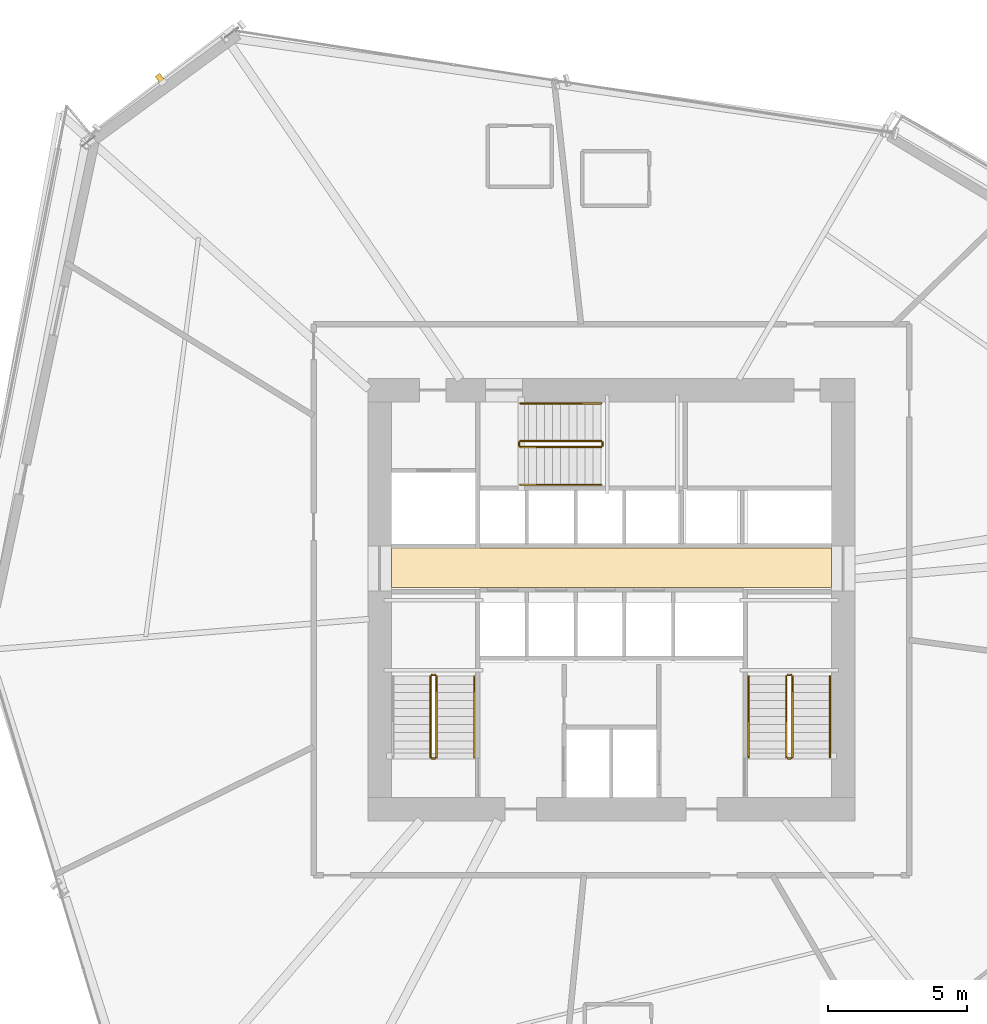
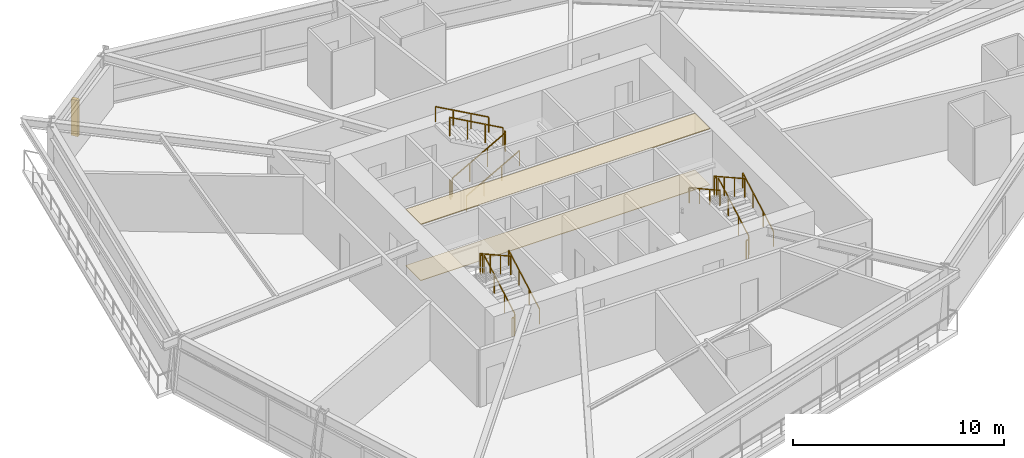
# One storey, part 21 of 22: 17 railings, 2 coverings, 1 shading device.
"""IFC4 building model written with IfcOpenShell, lengths in metres."""

from ifc_helpers import new_model, si_unit, direction, frame, origin, origin_2d, place, context, subcontext, project, spatial, polyline, rectangle, outline, extrude, source, transform, mapped, material, layer, layer_set, type_object, element, save


model = new_model("IFC4")

# Units and contexts
model_context = context("Model", 3, precision=1e-05, world=origin(), true_north=direction((0.0, 1.0)))
body_context = subcontext(model_context, "Body", "Model", "MODEL_VIEW")
ifc_project = project(units=[si_unit("LENGTHUNIT", "METRE"), si_unit("AREAUNIT", "SQUARE_METRE"), si_unit("VOLUMEUNIT", "CUBIC_METRE"), si_unit("PLANEANGLEUNIT", "RADIAN"), si_unit("MASSUNIT", "GRAM", prefix="KILO")], contexts=[model_context])

# Site, building, storey
site_placement = place(None, origin())
site = spatial("IfcSite", under=ifc_project, at=site_placement, CompositionType="ELEMENT")
building_placement = place(site_placement, origin())
building = spatial("IfcBuilding", under=site, at=building_placement, Name="Olszyna Solenne Hotel", CompositionType="ELEMENT")
storey_placement = place(building_placement, frame((0.0, 0.0, 50.60009765625)))
storey = spatial("IfcBuildingStorey", under=building, at=storey_placement, Name="L12", CompositionType="ELEMENT", Elevation=50.60009765625)

# Coverings
ifc_material_1 = material(Name="Mineral wool acoustic ceiling")
ifc_layer_1 = layer(ifc_material_1, 0.0400390625, Name="Mineral wool acoustic ceiling")
ifc_layer_set_1 = layer_set([ifc_layer_1], Name="Mineral wool acoustic ceiling")
covering_type_1 = type_object("IfcCoveringType", Name="CL-AC1", PredefinedType="CEILING", material=ifc_layer_set_1)
covering_1_placement = place(storey_placement, frame((0.0, 0.0, 3.239990234375)))
element("IfcCovering", 1, at=covering_1_placement, inside=storey, type_object=covering_type_1, Name="Lift lobby acoustic tile ceiling CL-L12-01", PredefinedType="CEILING", context=body_context, shape_type="SweptSolid", body=[
    extrude(outline(polyline([(30.10009765625, 27.030029296875), (45.89990234375, 27.030029296875), (45.89990234375, 28.4599609375), (30.10009765625, 28.4599609375), (30.10009765625, 27.030029296875)])), origin(), (0.0, 0.0, 1.0), 0.039794921875),
])
ifc_material_2 = material(Name="Ceramic floor tile")
ifc_layer_2 = layer(ifc_material_2, 0.030029296875, Name="Ceramic floor tile")
ifc_layer_set_2 = layer_set([ifc_layer_2], Name="Ceramic floor tile")
covering_type_2 = type_object("IfcCoveringType", Name="FL-TL1", PredefinedType="FLOORING", material=ifc_layer_set_2)
covering_2_placement = place(storey_placement, origin())
element("IfcCovering", 2, at=covering_2_placement, inside=storey, type_object=covering_type_2, Name="Lift lobby stoneware floor finish FLR-L12-01", PredefinedType="FLOORING", context=body_context, shape_type="SweptSolid", body=[
    extrude(outline(polyline([(30.10009765625, 27.030029296875), (45.89990234375, 27.030029296875), (45.89990234375, 28.4599609375), (30.10009765625, 28.4599609375), (30.10009765625, 27.030029296875)])), origin(), (0.0, 0.0, 1.0), 0.02978515625),
])

# Railings
ifc_material_3 = material(Name="Anodised bronze aluminium", Category="aluminium")
railing_type_1 = type_object("IfcRailingType", Name="GR-110", PredefinedType="BALUSTRADE", material=ifc_material_3)
railing_1_placement = place(storey_placement, frame((31.719970703125, 20.949951171875, 0.161376953125)))
element("IfcRailing", 3, at=railing_1_placement, inside=storey, type_object=railing_type_1, Name="L12 ST1 stair guard 1", PredefinedType="BALUSTRADE", context=body_context, shape_type="SweptSolid", body=[
    extrude(rectangle(XDim=0.048095703125, YDim=0.048095703125, at=origin_2d()), frame((0.0, 0.0, 1.076171875), z_axis=(0.0, 0.873858693841, 0.486179990537), x_axis=(-1.0, 0.0, 0.0)), (0.0, 0.0, 1.0), 3.31884765625),
    extrude(rectangle(XDim=0.0419921875, YDim=0.0419921875, at=origin_2d()), origin(), (0.0, 0.0, 1.0), 1.052001953125),
    extrude(rectangle(XDim=0.0419921875, YDim=0.0419921875, at=origin_2d()), frame((0.0, 0.966796875, 0.537841796875)), (0.0, 0.0, 1.0), 1.052001953125),
    extrude(rectangle(XDim=0.0419921875, YDim=0.0419921875, at=origin_2d()), frame((0.0, 1.933349609375, 1.07568359375)), (0.0, 0.0, 1.0), 1.052001953125),
    extrude(rectangle(XDim=0.0419921875, YDim=0.0419921875, at=origin_2d()), frame((0.0, 2.900146484375, 1.613525390625)), (0.0, 0.0, 1.0), 1.052001953125),
])
railing_2_placement = place(storey_placement, frame((31.669921875, 23.89990234375, 1.77490234375)))
element("IfcRailing", 4, at=railing_2_placement, inside=storey, type_object=railing_type_1, Name="L12 ST1 stair guard 2", PredefinedType="BALUSTRADE", context=body_context, shape_type="SweptSolid", body=[
    extrude(rectangle(XDim=0.048095703125, YDim=0.048095703125, at=origin_2d()), frame((0.0, 0.0, 1.076171875), z_axis=(-1.0, 0.0, 0.0), x_axis=(0.0, -1.0, 0.0)), (0.0, 0.0, 1.0), 0.119873046875),
    extrude(rectangle(XDim=0.0419921875, YDim=0.0419921875, at=origin_2d()), origin(), (0.0, 0.0, 1.0), 1.052001953125),
    extrude(rectangle(XDim=0.0419921875, YDim=0.0419921875, at=origin_2d()), frame((-0.119873046875, 0.0, 0.0)), (0.0, 0.0, 1.0), 1.052001953125),
])
railing_3_placement = place(storey_placement, frame((31.5, 23.85009765625, 1.936279296875)))
element("IfcRailing", 5, at=railing_3_placement, inside=storey, type_object=railing_type_1, Name="L12 ST1 stair guard 3", PredefinedType="BALUSTRADE", context=body_context, shape_type="SweptSolid", body=[
    extrude(rectangle(XDim=0.048095703125, YDim=0.048095703125, at=origin_2d()), frame((0.0, 0.0, 1.076171875), z_axis=(0.0, -0.873858693841, 0.486179990537), x_axis=(1.0, 0.0, 0.0)), (0.0, 0.0, 1.0), 3.31884765625),
    extrude(rectangle(XDim=0.0419921875, YDim=0.0419921875, at=origin_2d()), origin(), (0.0, 0.0, 1.0), 1.052001953125),
    extrude(rectangle(XDim=0.0419921875, YDim=0.0419921875, at=origin_2d()), frame((0.0, -0.966796875, 0.537841796875)), (0.0, 0.0, 1.0), 1.052001953125),
    extrude(rectangle(XDim=0.0419921875, YDim=0.0419921875, at=origin_2d()), frame((0.0, -1.933349609375, 1.07568359375)), (0.0, 0.0, 1.0), 1.052001953125),
    extrude(rectangle(XDim=0.0419921875, YDim=0.0419921875, at=origin_2d()), frame((0.0, -2.900146484375, 1.613525390625)), (0.0, 0.0, 1.0), 1.052001953125),
])
railing_4_placement = place(storey_placement, frame((31.669921875, 20.89990234375, 0.0)))
element("IfcRailing", 6, at=railing_4_placement, inside=storey, type_object=railing_type_1, Name="L12 ST1 stair guard 4", PredefinedType="BALUSTRADE", context=body_context, shape_type="SweptSolid", body=[
    extrude(rectangle(XDim=0.048095703125, YDim=0.048095703125, at=origin_2d()), frame((0.0, 0.0, 1.076171875), z_axis=(-1.0, 0.0, 0.0), x_axis=(0.0, -1.0, 0.0)), (0.0, 0.0, 1.0), 0.119873046875),
    extrude(rectangle(XDim=0.0419921875, YDim=0.0419921875, at=origin_2d()), origin(), (0.0, 0.0, 1.0), 1.052001953125),
    extrude(rectangle(XDim=0.0419921875, YDim=0.0419921875, at=origin_2d()), frame((-0.119873046875, 0.0, 0.0)), (0.0, 0.0, 1.0), 1.052001953125),
])
railing_5_placement = place(storey_placement, frame((44.5, 20.949951171875, 0.161376953125)))
element("IfcRailing", 7, at=railing_5_placement, inside=storey, type_object=railing_type_1, Name="L12 ST2 stair guard 1", PredefinedType="BALUSTRADE", context=body_context, shape_type="SweptSolid", body=[
    extrude(rectangle(XDim=0.048095703125, YDim=0.048095703125, at=origin_2d()), frame((0.0, 0.0, 1.076171875), z_axis=(0.0, 0.873858693841, 0.486179990537), x_axis=(-1.0, 0.0, 0.0)), (0.0, 0.0, 1.0), 3.31884765625),
    extrude(rectangle(XDim=0.0419921875, YDim=0.0419921875, at=origin_2d()), origin(), (0.0, 0.0, 1.0), 1.052001953125),
    extrude(rectangle(XDim=0.0419921875, YDim=0.0419921875, at=origin_2d()), frame((0.0, 0.966796875, 0.537841796875)), (0.0, 0.0, 1.0), 1.052001953125),
    extrude(rectangle(XDim=0.0419921875, YDim=0.0419921875, at=origin_2d()), frame((0.0, 1.933349609375, 1.07568359375)), (0.0, 0.0, 1.0), 1.052001953125),
    extrude(rectangle(XDim=0.0419921875, YDim=0.0419921875, at=origin_2d()), frame((0.0, 2.900146484375, 1.613525390625)), (0.0, 0.0, 1.0), 1.052001953125),
])
railing_6_placement = place(storey_placement, frame((44.449951171875, 23.89990234375, 1.77490234375)))
element("IfcRailing", 8, at=railing_6_placement, inside=storey, type_object=railing_type_1, Name="L12 ST2 stair guard 2", PredefinedType="BALUSTRADE", context=body_context, shape_type="SweptSolid", body=[
    extrude(rectangle(XDim=0.048095703125, YDim=0.048095703125, at=origin_2d()), frame((0.0, 0.0, 1.076171875), z_axis=(-1.0, 0.0, 0.0), x_axis=(0.0, -1.0, 0.0)), (0.0, 0.0, 1.0), 0.119873046875),
    extrude(rectangle(XDim=0.0419921875, YDim=0.0419921875, at=origin_2d()), origin(), (0.0, 0.0, 1.0), 1.052001953125),
    extrude(rectangle(XDim=0.0419921875, YDim=0.0419921875, at=origin_2d()), frame((-0.119873046875, 0.0, 0.0)), (0.0, 0.0, 1.0), 1.052001953125),
])
railing_7_placement = place(storey_placement, frame((44.280029296875, 23.85009765625, 1.936279296875)))
element("IfcRailing", 9, at=railing_7_placement, inside=storey, type_object=railing_type_1, Name="L12 ST2 stair guard 3", PredefinedType="BALUSTRADE", context=body_context, shape_type="SweptSolid", body=[
    extrude(rectangle(XDim=0.048095703125, YDim=0.048095703125, at=origin_2d()), frame((0.0, 0.0, 1.076171875), z_axis=(0.0, -0.873858693841, 0.486179990537), x_axis=(1.0, 0.0, 0.0)), (0.0, 0.0, 1.0), 3.31884765625),
    extrude(rectangle(XDim=0.0419921875, YDim=0.0419921875, at=origin_2d()), origin(), (0.0, 0.0, 1.0), 1.052001953125),
    extrude(rectangle(XDim=0.0419921875, YDim=0.0419921875, at=origin_2d()), frame((0.0, -0.966796875, 0.537841796875)), (0.0, 0.0, 1.0), 1.052001953125),
    extrude(rectangle(XDim=0.0419921875, YDim=0.0419921875, at=origin_2d()), frame((0.0, -1.933349609375, 1.07568359375)), (0.0, 0.0, 1.0), 1.052001953125),
    extrude(rectangle(XDim=0.0419921875, YDim=0.0419921875, at=origin_2d()), frame((0.0, -2.900146484375, 1.613525390625)), (0.0, 0.0, 1.0), 1.052001953125),
])
railing_8_placement = place(storey_placement, frame((44.449951171875, 20.89990234375, 0.0)))
element("IfcRailing", 10, at=railing_8_placement, inside=storey, type_object=railing_type_1, Name="L12 ST2 stair guard 4", PredefinedType="BALUSTRADE", context=body_context, shape_type="SweptSolid", body=[
    extrude(rectangle(XDim=0.048095703125, YDim=0.048095703125, at=origin_2d()), frame((0.0, 0.0, 1.076171875), z_axis=(-1.0, 0.0, 0.0), x_axis=(0.0, -1.0, 0.0)), (0.0, 0.0, 1.0), 0.119873046875),
    extrude(rectangle(XDim=0.0419921875, YDim=0.0419921875, at=origin_2d()), origin(), (0.0, 0.0, 1.0), 1.052001953125),
    extrude(rectangle(XDim=0.0419921875, YDim=0.0419921875, at=origin_2d()), frame((-0.119873046875, 0.0, 0.0)), (0.0, 0.0, 1.0), 1.052001953125),
])
railing_9_placement = place(storey_placement, frame((34.72998046875, 32.080078125, 0.161376953125)))
element("IfcRailing", 11, at=railing_9_placement, inside=storey, type_object=railing_type_1, Name="L12 ST3 stair guard 1", PredefinedType="BALUSTRADE", context=body_context, shape_type="SweptSolid", body=[
    extrude(rectangle(XDim=0.048095703125, YDim=0.048095703125, at=origin_2d()), frame((0.0, 0.0, 1.076171875), z_axis=(0.873841303929, 0.0, 0.486211245805), x_axis=(0.0, 1.0, 0.0)), (0.0, 0.0, 1.0), 3.318603515625),
    extrude(rectangle(XDim=0.0419921875, YDim=0.0419921875, at=origin_2d()), origin(), (0.0, 0.0, 1.0), 1.052001953125),
    extrude(rectangle(XDim=0.0419921875, YDim=0.0419921875, at=origin_2d()), frame((0.966552734375, 0.0, 0.537841796875)), (0.0, 0.0, 1.0), 1.052001953125),
    extrude(rectangle(XDim=0.0419921875, YDim=0.0419921875, at=origin_2d()), frame((1.933349609375, 0.0, 1.07568359375)), (0.0, 0.0, 1.0), 1.052001953125),
    extrude(rectangle(XDim=0.0419921875, YDim=0.0419921875, at=origin_2d()), frame((2.89990234375, 0.0, 1.613525390625)), (0.0, 0.0, 1.0), 1.052001953125),
])
railing_10_placement = place(storey_placement, frame((37.679931640625, 32.1298828125, 1.77490234375)))
element("IfcRailing", 12, at=railing_10_placement, inside=storey, type_object=railing_type_1, Name="L12 ST3 stair guard 2", PredefinedType="BALUSTRADE", context=body_context, shape_type="SweptSolid", body=[
    extrude(rectangle(XDim=0.048095703125, YDim=0.048095703125, at=origin_2d()), frame((0.0, 0.0, 1.076171875), z_axis=(0.0, 1.0, 0.0), x_axis=(-1.0, 0.0, 0.0)), (0.0, 0.0, 1.0), 0.1201171875),
    extrude(rectangle(XDim=0.0419921875, YDim=0.0419921875, at=origin_2d()), origin(), (0.0, 0.0, 1.0), 1.052001953125),
    extrude(rectangle(XDim=0.0419921875, YDim=0.0419921875, at=origin_2d()), frame((0.0, 0.1201171875, 0.0)), (0.0, 0.0, 1.0), 1.052001953125),
])
railing_11_placement = place(storey_placement, frame((37.6298828125, 32.300048828125, 1.936279296875)))
element("IfcRailing", 13, at=railing_11_placement, inside=storey, type_object=railing_type_1, Name="L12 ST3 stair guard 3", PredefinedType="BALUSTRADE", context=body_context, shape_type="SweptSolid", body=[
    extrude(rectangle(XDim=0.048095703125, YDim=0.048095703125, at=origin_2d()), frame((0.0, 0.0, 1.076171875), z_axis=(-0.873841303929, 0.0, 0.486211245805), x_axis=(0.0, -1.0, 0.0)), (0.0, 0.0, 1.0), 3.318603515625),
    extrude(rectangle(XDim=0.0419921875, YDim=0.0419921875, at=origin_2d()), origin(), (0.0, 0.0, 1.0), 1.052001953125),
    extrude(rectangle(XDim=0.0419921875, YDim=0.0419921875, at=origin_2d()), frame((-0.966552734375, 0.0, 0.537841796875)), (0.0, 0.0, 1.0), 1.052001953125),
    extrude(rectangle(XDim=0.0419921875, YDim=0.0419921875, at=origin_2d()), frame((-1.933349609375, 0.0, 1.07568359375)), (0.0, 0.0, 1.0), 1.052001953125),
    extrude(rectangle(XDim=0.0419921875, YDim=0.0419921875, at=origin_2d()), frame((-2.89990234375, 0.0, 1.613525390625)), (0.0, 0.0, 1.0), 1.052001953125),
])
railing_12_placement = place(storey_placement, frame((34.679931640625, 32.1298828125, 0.0)))
element("IfcRailing", 14, at=railing_12_placement, inside=storey, type_object=railing_type_1, Name="L12 ST3 stair guard 4", PredefinedType="BALUSTRADE", context=body_context, shape_type="SweptSolid", body=[
    extrude(rectangle(XDim=0.048095703125, YDim=0.048095703125, at=origin_2d()), frame((0.0, 0.0, 1.076171875), z_axis=(0.0, 1.0, 0.0), x_axis=(-1.0, 0.0, 0.0)), (0.0, 0.0, 1.0), 0.1201171875),
    extrude(rectangle(XDim=0.0419921875, YDim=0.0419921875, at=origin_2d()), origin(), (0.0, 0.0, 1.0), 1.052001953125),
    extrude(rectangle(XDim=0.0419921875, YDim=0.0419921875, at=origin_2d()), frame((0.0, 0.1201171875, 0.0)), (0.0, 0.0, 1.0), 1.052001953125),
])
ifc_material_4 = material(Name="Steel S355J2", Category="steel")
railing_type_2 = type_object("IfcRailingType", Name="HR-090", PredefinedType="HANDRAIL", material=ifc_material_4)
for number, where, name in (
    (15, (33.070068359375, 20.949951171875, 0.161376953125), "L12 ST1 stair handrail 1"),
    (16, (45.85009765625, 20.949951171875, 0.161376953125), "L12 ST2 stair handrail 1"),
):
    element("IfcRailing", number, at=place(storey_placement, frame(where)), inside=storey, type_object=railing_type_2, Name=name, PredefinedType="HANDRAIL", context=body_context, shape_type="SweptSolid", body=[
        extrude(rectangle(XDim=0.048095703125, YDim=0.048095703125, at=origin_2d()), frame((0.0, 0.0, 0.8759765625), z_axis=(0.0, 0.873858693841, 0.486179990537), x_axis=(-1.0, 0.0, 0.0)), (0.0, 0.0, 1.0), 3.31884765625),
        extrude(rectangle(XDim=0.0419921875, YDim=0.0419921875, at=origin_2d()), origin(), (0.0, 0.0, 1.0), 0.851806640625),
        extrude(rectangle(XDim=0.0419921875, YDim=0.0419921875, at=origin_2d()), frame((0.0, 0.966796875, 0.537841796875)), (0.0, 0.0, 1.0), 0.851806640625),
        extrude(rectangle(XDim=0.0419921875, YDim=0.0419921875, at=origin_2d()), frame((0.0, 1.933349609375, 1.07568359375)), (0.0, 0.0, 1.0), 0.851806640625),
        extrude(rectangle(XDim=0.0419921875, YDim=0.0419921875, at=origin_2d()), frame((0.0, 2.900146484375, 1.613525390625)), (0.0, 0.0, 1.0), 0.851806640625),
    ])
railing_13_placement = place(storey_placement, frame((42.929931640625, 23.85009765625, 1.936279296875)))
element("IfcRailing", 17, at=railing_13_placement, inside=storey, type_object=railing_type_2, Name="L12 ST2 stair handrail 2", PredefinedType="HANDRAIL", context=body_context, shape_type="SweptSolid", body=[
    extrude(rectangle(XDim=0.048095703125, YDim=0.048095703125, at=origin_2d()), frame((0.0, 0.0, 0.8759765625), z_axis=(0.0, -0.873858693841, 0.486179990537), x_axis=(1.0, 0.0, 0.0)), (0.0, 0.0, 1.0), 3.31884765625),
    extrude(rectangle(XDim=0.0419921875, YDim=0.0419921875, at=origin_2d()), origin(), (0.0, 0.0, 1.0), 0.851806640625),
    extrude(rectangle(XDim=0.0419921875, YDim=0.0419921875, at=origin_2d()), frame((0.0, -0.966796875, 0.537841796875)), (0.0, 0.0, 1.0), 0.851806640625),
    extrude(rectangle(XDim=0.0419921875, YDim=0.0419921875, at=origin_2d()), frame((0.0, -1.933349609375, 1.07568359375)), (0.0, 0.0, 1.0), 0.851806640625),
    extrude(rectangle(XDim=0.0419921875, YDim=0.0419921875, at=origin_2d()), frame((0.0, -2.900146484375, 1.613525390625)), (0.0, 0.0, 1.0), 0.851806640625),
])
railing_14_placement = place(storey_placement, frame((34.72998046875, 30.72998046875, 0.161376953125)))
element("IfcRailing", 18, at=railing_14_placement, inside=storey, type_object=railing_type_2, Name="L12 ST3 stair handrail 1", PredefinedType="HANDRAIL", context=body_context, shape_type="SweptSolid", body=[
    extrude(rectangle(XDim=0.048095703125, YDim=0.048095703125, at=origin_2d()), frame((0.0, 0.0, 0.8759765625), z_axis=(0.873841303929, 0.0, 0.486211245805), x_axis=(0.0, 1.0, 0.0)), (0.0, 0.0, 1.0), 3.318603515625),
    extrude(rectangle(XDim=0.0419921875, YDim=0.0419921875, at=origin_2d()), origin(), (0.0, 0.0, 1.0), 0.851806640625),
    extrude(rectangle(XDim=0.0419921875, YDim=0.0419921875, at=origin_2d()), frame((0.966552734375, 0.0, 0.537841796875)), (0.0, 0.0, 1.0), 0.851806640625),
    extrude(rectangle(XDim=0.0419921875, YDim=0.0419921875, at=origin_2d()), frame((1.933349609375, 0.0, 1.07568359375)), (0.0, 0.0, 1.0), 0.851806640625),
    extrude(rectangle(XDim=0.0419921875, YDim=0.0419921875, at=origin_2d()), frame((2.89990234375, 0.0, 1.613525390625)), (0.0, 0.0, 1.0), 0.851806640625),
])
railing_15_placement = place(storey_placement, frame((37.6298828125, 33.64990234375, 1.936279296875)))
element("IfcRailing", 19, at=railing_15_placement, inside=storey, type_object=railing_type_2, Name="L12 ST3 stair handrail 2", PredefinedType="HANDRAIL", context=body_context, shape_type="SweptSolid", body=[
    extrude(rectangle(XDim=0.048095703125, YDim=0.048095703125, at=origin_2d()), frame((0.0, 0.0, 0.8759765625), z_axis=(-0.873841303929, 0.0, 0.486211245805), x_axis=(0.0, -1.0, 0.0)), (0.0, 0.0, 1.0), 3.318603515625),
    extrude(rectangle(XDim=0.0419921875, YDim=0.0419921875, at=origin_2d()), origin(), (0.0, 0.0, 1.0), 0.851806640625),
    extrude(rectangle(XDim=0.0419921875, YDim=0.0419921875, at=origin_2d()), frame((-0.966552734375, 0.0, 0.537841796875)), (0.0, 0.0, 1.0), 0.851806640625),
    extrude(rectangle(XDim=0.0419921875, YDim=0.0419921875, at=origin_2d()), frame((-1.933349609375, 0.0, 1.07568359375)), (0.0, 0.0, 1.0), 0.851806640625),
    extrude(rectangle(XDim=0.0419921875, YDim=0.0419921875, at=origin_2d()), frame((-2.89990234375, 0.0, 1.613525390625)), (0.0, 0.0, 1.0), 0.851806640625),
])

# Shading device
ifc_material_5 = material(Name="Terracotta cladding", Category="masonry")
shading_device_type = type_object("IfcShadingDeviceType", Name="SH-FN1", PredefinedType="USERDEFINED", material=ifc_material_5)
shared_shape = source(origin(), body_context, "Body", "SweptSolid", [
    extrude(rectangle(XDim=0.199951171875, YDim=0.35009765625, at=origin_2d()), origin(), (0.0, 0.0, 1.0), 2.10009765625),
])
shading_device_placement = place(storey_placement, frame((21.79736328125, 45.306884765625, 0.245849609375), z_axis=(0.0, 0.0, 1.0), x_axis=(0.806960312144, 0.59060566762, 0.0)))
element("IfcShadingDevice", 20, at=shading_device_placement, inside=storey, type_object=shading_device_type, Name="Chamfer wind-corner terracotta fin FN-L12-05", ObjectType="FIN", PredefinedType="USERDEFINED", context=body_context, shape_type="MappedRepresentation", body=[
    mapped(shared_shape, transform((0.0, 0.0, 0.0), x_axis=(1.0, 0.0, 0.0), y_axis=(0.0, 1.0, 0.0), z_axis=(0.0, 0.0, 1.0), scale=1.0)),
])

save(model, "model.ifc")
